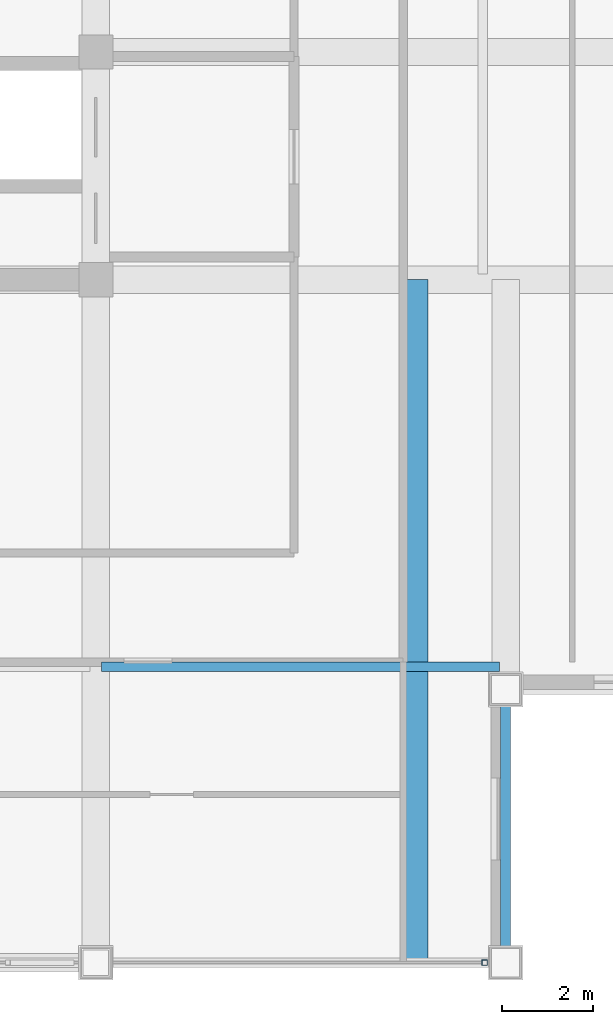
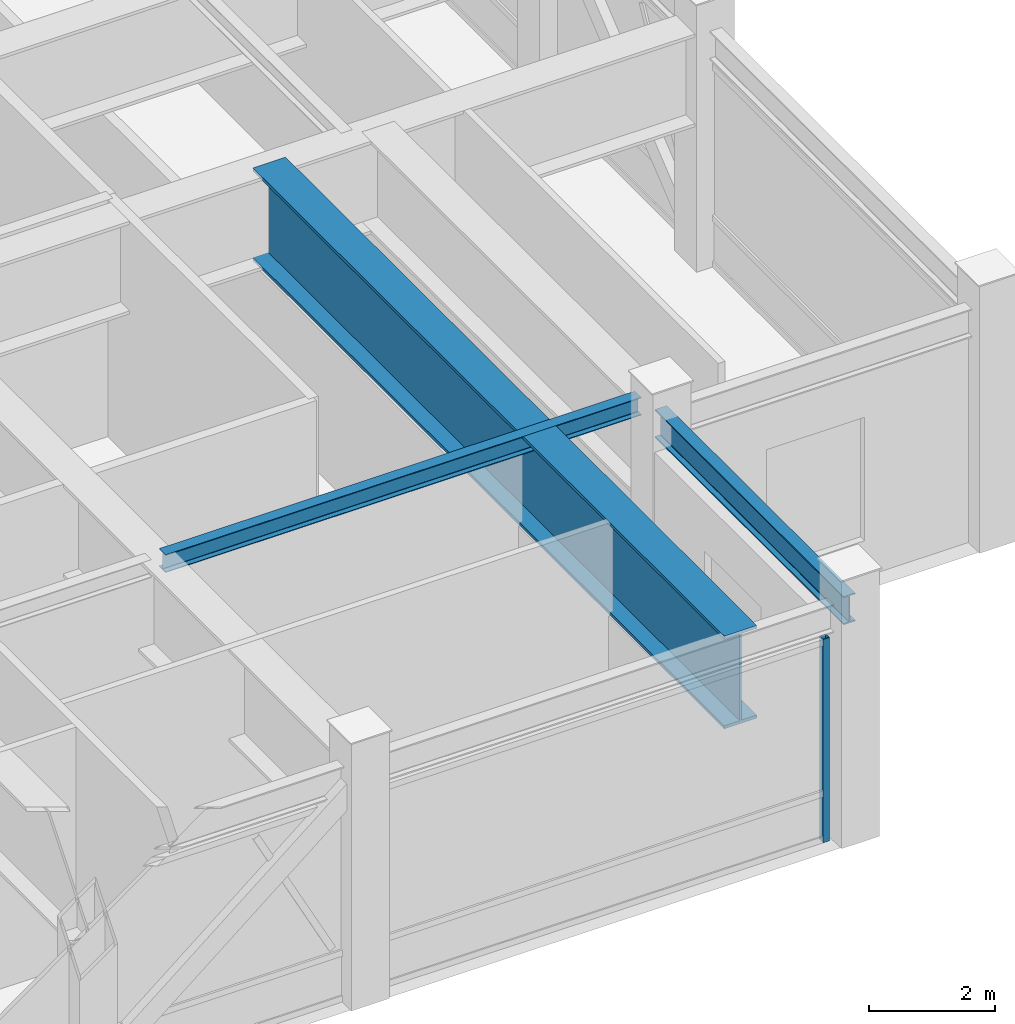
# One storey, part 8 of 29: 3 beams, 1 member, 1 element without a shape of its own.
"""IFC4 building model written with IfcOpenShell, lengths in metres."""

from ifc_helpers import new_model, si_unit, direction, frame, origin, origin_2d, place, context, subcontext, project, spatial, hollow_rectangle, i_section, extrude, source, transform, mapped, material, material_profile, profile_set, type_object, element, aggregate, save


model = new_model("IFC4")

# Units and contexts
model_context = context("Model", 3, precision=1e-05, world=origin(), true_north=direction((0.0, 1.0)))
body_context = subcontext(model_context, "Body", "Model", "MODEL_VIEW")
ifc_project = project(units=[si_unit("LENGTHUNIT", "METRE"), si_unit("AREAUNIT", "SQUARE_METRE"), si_unit("VOLUMEUNIT", "CUBIC_METRE"), si_unit("PLANEANGLEUNIT", "RADIAN"), si_unit("MASSUNIT", "GRAM", prefix="KILO")], contexts=[model_context])

# Site, building, storey
site_placement = place(None, origin())
site = spatial("IfcSite", under=ifc_project, at=site_placement, CompositionType="ELEMENT")
building_placement = place(site_placement, origin())
building = spatial("IfcBuilding", under=site, at=building_placement, Name="Khorayat Bourse Tower", CompositionType="ELEMENT")
storey_placement = place(building_placement, frame((0.0, 0.0, 370.300048828125)))
storey = spatial("IfcBuildingStorey", under=building, at=storey_placement, Name="L88", CompositionType="ELEMENT", Elevation=370.300048828125)

# Beams
ifc_material_1 = material(Name="Steel ASTM A992 Grade 50", Category="steel")
ifc_material_profile_1 = material_profile(ifc_material_1, i_section(OverallWidth=0.214111328125, OverallDepth=0.549072265625, WebThickness=0.0146484375, FlangeThickness=0.023681640625, FilletRadius=0.013916015625, at=origin_2d()), Name="W530X138")
ifc_profile_set_1 = profile_set([ifc_material_profile_1], Name="Steel ASTM A992 Grade 50")
beam_type_1 = type_object("IfcBeamType", Name="BM-SPAN-530", PredefinedType="SPANDREL", material=ifc_profile_set_1)
shared_shape_1 = source(origin(), body_context, "Body", "SweptSolid", [
    extrude(i_section(OverallWidth=0.214111328125, OverallDepth=0.549072265625, WebThickness=0.0146484375, FlangeThickness=0.023681640625, FilletRadius=0.013916015625, at=origin_2d()), origin(), (0.0, 0.0, 1.0), 6.0),
])
beam_1_placement = place(storey_placement, frame((20.0, -26.0, 4.325439453125), z_axis=(0.0, 1.0, 0.0), x_axis=(-1.0, 0.0, 0.0)))
element("IfcBeam", 1, at=beam_1_placement, inside=storey, type_object=beam_type_1, Name="L88 BM-SPAN-530 BM-L88-SPN-030", PredefinedType="SPANDREL", context=body_context, shape_type="MappedRepresentation", body=[
    mapped(shared_shape_1, transform((0.0, 0.0, 0.0), scale=1.0)),
])
ifc_material_profile_2 = material_profile(ifc_material_1, i_section(OverallWidth=0.202880859375, OverallDepth=0.346923828125, WebThickness=0.0078125, FlangeThickness=0.013427734375, FilletRadius=0.010009765625, at=origin_2d()), Name="W360X64")
ifc_profile_set_2 = profile_set([ifc_material_profile_2], Name="Steel ASTM A992 Grade 50")
beam_type_2 = type_object("IfcBeamType", Name="BM-JOIST-360", PredefinedType="JOIST", material=ifc_profile_set_2)
shared_shape_2 = source(origin(), body_context, "Body", "SweptSolid", [
    extrude(i_section(OverallWidth=0.202880859375, OverallDepth=0.346923828125, WebThickness=0.0078125, FlangeThickness=0.013427734375, FilletRadius=0.010009765625, at=origin_2d()), origin(), (0.0, 0.0, 1.0), 8.740234375),
])
beam_2_placement = place(storey_placement, frame((11.1298828125, -19.5, 4.426513671875), z_axis=(1.0, 0.0, 0.0), x_axis=(0.0, 1.0, 0.0)))
element("IfcBeam", 2, at=beam_2_placement, inside=storey, type_object=beam_type_2, Name="L88 BM-JOIST-360 BM-L88-JSTX-090", PredefinedType="JOIST", context=body_context, shape_type="MappedRepresentation", body=[
    mapped(shared_shape_2, transform((0.0, 0.0, 0.0), scale=1.0)),
])
ifc_material_2 = material(Name="Steel EN 10025-4 S460M", Category="steel")
ifc_material_profile_3 = material_profile(ifc_material_2, i_section(OverallWidth=0.60009765625, OverallDepth=1.800048828125, WebThickness=0.031982421875, FlangeThickness=0.06005859375, at=origin_2d()), Name="PG 1800x600x32x60")
ifc_profile_set_3 = profile_set([ifc_material_profile_3], Name="Steel EN 10025-4 S460M")
beam_type_3 = type_object("IfcBeamType", Name="BM-TR-1800", PredefinedType="BEAM", material=ifc_profile_set_3)
shared_shape_3 = source(origin(), body_context, "Body", "SweptSolid", [
    extrude(i_section(OverallWidth=0.60009765625, OverallDepth=1.800048828125, WebThickness=0.031982421875, FlangeThickness=0.06005859375, at=origin_2d()), origin(), (0.0, 0.0, 1.0), 15.0),
])
beam_3_placement = place(storey_placement, frame((18.0, -26.0, 3.699951171875), z_axis=(0.0, 1.0, 0.0), x_axis=(-1.0, 0.0, 0.0)))
element("IfcBeam", 3, at=beam_3_placement, inside=storey, type_object=beam_type_3, Name="L88 BM-TR-1800 BM-L88-CNRY-078", PredefinedType="BEAM", context=body_context, shape_type="MappedRepresentation", body=[
    mapped(shared_shape_3, transform((0.0, 0.0, 0.0), scale=1.0)),
])

# Curtain wall, member
ifc_material_3 = material(Name="Aluminium EN AW-6063 T6", Category="aluminium")
curtain_wall_type = type_object("IfcCurtainWallType", Name="CW-SYS-04", PredefinedType="NOTDEFINED", material=ifc_material_3)
curtain_wall_placement = place(storey_placement, origin())
curtain_wall = element("IfcCurtainWall", 4, at=curtain_wall_placement, inside=storey, type_object=curtain_wall_type, Name="L88 Curtain Wall CW-L88-S1", PredefinedType="NOTDEFINED")
ifc_material_profile_4 = material_profile(ifc_material_3, hollow_rectangle(XDim=0.1201171875, YDim=0.1201171875, WallThickness=0.0048828125, at=origin_2d()), Name="ALU 120x120x5")
ifc_profile_set_4 = profile_set([ifc_material_profile_4], Name="Aluminium EN AW-6063 T6")
member_type = type_object("IfcMemberType", Name="CWM-VERT-120", PredefinedType="MULLION", material=ifc_profile_set_4)
shared_shape_4 = source(origin(), body_context, "Body", "SweptSolid", [
    extrude(hollow_rectangle(XDim=0.1201171875, YDim=0.1201171875, WallThickness=0.0048828125, at=origin_2d()), origin(), (0.0, 0.0, 1.0), 3.949951171875),
])
member_placement = place(storey_placement, frame((19.5400390625, -26.0, 0.0), z_axis=(0.0, 0.0, 1.0), x_axis=(0.0, 1.0, 0.0)))
member = element("IfcMember", 5, at=member_placement, type_object=member_type, Name="CW-L88-S1 Vertical Mullion 3", PredefinedType="MULLION", context=body_context, shape_type="MappedRepresentation", body=[
    mapped(shared_shape_4, transform((0.0, 0.0, 0.0), scale=1.0)),
])
aggregate(curtain_wall, [member])

save(model, "model.ifc")
